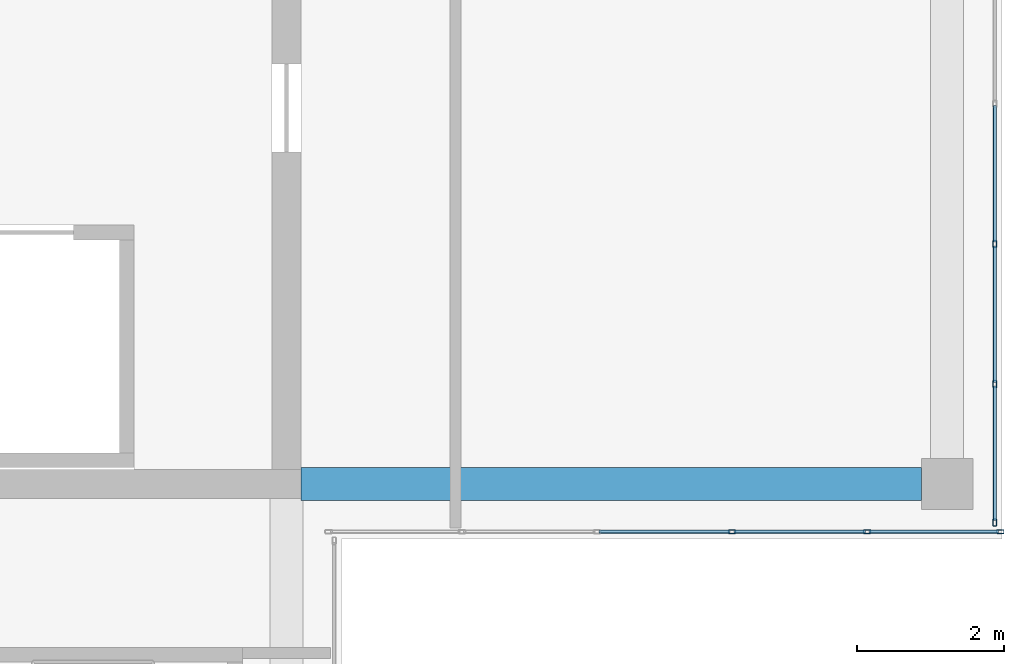
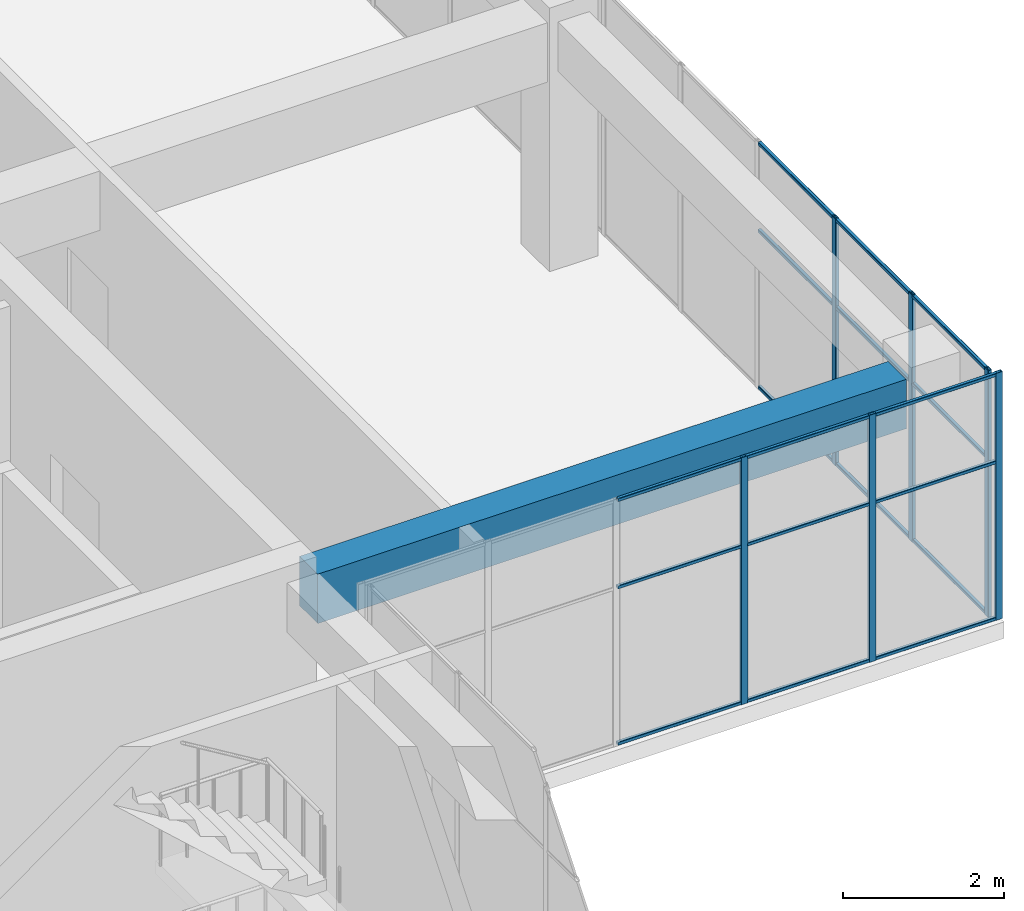
# One storey, part 21 of 43: 24 members, 1 beam, 2 elements without a shape of their own.
"""IFC4 building model written with IfcOpenShell, lengths in metres."""

from ifc_helpers import new_model, si_unit, direction, frame, origin, origin_2d, place, context, subcontext, project, spatial, rectangle, hollow_rectangle, extrude, material, layer, layer_set, material_profile, profile_set, type_object, element, aggregate, save


model = new_model("IFC4")

# Units and contexts
model_context = context("Model", 3, precision=1e-05, world=origin(), true_north=direction((0.0, 1.0)))
body_context = subcontext(model_context, "Body", "Model", "MODEL_VIEW")
ifc_project = project(units=[si_unit("LENGTHUNIT", "METRE"), si_unit("AREAUNIT", "SQUARE_METRE"), si_unit("VOLUMEUNIT", "CUBIC_METRE"), si_unit("PLANEANGLEUNIT", "RADIAN"), si_unit("MASSUNIT", "GRAM", prefix="KILO")], contexts=[model_context])

# Site, building, storey
site_placement = place(None, origin())
site = spatial("IfcSite", under=ifc_project, at=site_placement, CompositionType="ELEMENT")
building_placement = place(site_placement, origin())
building = spatial("IfcBuilding", under=site, at=building_placement, Name="Tuart Plaza Theatre", CompositionType="ELEMENT")
storey_placement = place(building_placement, frame((0.0, 0.0, 33.5)))
storey = spatial("IfcBuildingStorey", under=building, at=storey_placement, Name="L08", CompositionType="ELEMENT", Elevation=33.5)

# Beam
ifc_material_1 = material(Name="Concrete N40 (40 MPa)", Category="concrete")
ifc_material_profile_1 = material_profile(ifc_material_1, rectangle(XDim=0.449951171875, YDim=0.75, at=origin_2d()), Name="BEAM 450x750 Concrete N40 (40 MPa)")
ifc_profile_set_1 = profile_set([ifc_material_profile_1], Name="Concrete N40 (40 MPa)")
beam_type = type_object("IfcBeamType", Name="BEAM 450x750 Concrete N40 (40 MPa)", PredefinedType="BEAM", material=ifc_profile_set_1)
beam_placement = place(storey_placement, frame((141.199951171875, 65.0, 3.375), z_axis=(1.0, 0.0, 0.0), x_axis=(0.0, 1.0, 0.0)))
element("IfcBeam", 1, at=beam_placement, inside=storey, type_object=beam_type, Name="RB274", PredefinedType="BEAM", context=body_context, shape_type="SweptSolid", body=[
    extrude(rectangle(XDim=0.449951171875, YDim=0.75, at=origin_2d()), origin(), (0.0, 0.0, 1.0), 8.449951171875),
])

# Curtain wall, members
ifc_material_2 = material(Name="Aluminium and glass", Category="aluminium")
ifc_layer = layer(ifc_material_2, 0.10009765625)
ifc_layer_set = layer_set([ifc_layer], Name="CURTAIN WALL 2000 module")
curtain_wall_type = type_object("IfcCurtainWallType", Name="CURTAIN WALL 2000 module", PredefinedType="NOTDEFINED", material=ifc_layer_set)
curtain_wall_1_placement = place(storey_placement, origin())
curtain_wall_1 = element("IfcCurtainWall", 2, at=curtain_wall_1_placement, inside=storey, type_object=curtain_wall_type, Name="CW91", PredefinedType="NOTDEFINED")
ifc_material_3 = material(Name="Aluminium 6063-T5", Category="aluminium")
ifc_material_profile_2 = material_profile(ifc_material_3, hollow_rectangle(XDim=0.050048828125, YDim=0.10009765625, WallThickness=0.00390625, InnerFilletRadius=0.00390625, OuterFilletRadius=0.008056640625, at=origin_2d()), Name="RHS 100x50x4")
ifc_profile_set_2 = profile_set([ifc_material_profile_2], Name="Aluminium 6063-T5")
member_type_1 = type_object("IfcMemberType", Name="MULLION RHS 100x50x4", PredefinedType="MULLION", material=ifc_profile_set_2)
member_1_placement = place(storey_placement, frame((147.070068359375, 64.35009765625, 0.0), z_axis=(0.0, 0.0, 1.0), x_axis=(0.0, 1.0, 0.0)))
member_1 = element("IfcMember", 3, at=member_1_placement, type_object=member_type_1, Name="CW91 mullion 4", PredefinedType="MULLION", context=body_context, shape_type="SweptSolid", body=[
    extrude(hollow_rectangle(XDim=0.050048828125, YDim=0.10009765625, WallThickness=0.00390625, InnerFilletRadius=0.00390625, OuterFilletRadius=0.008056640625, at=origin_2d()), origin(), (0.0, 0.0, 1.0), 3.75),
])
member_2_placement = place(storey_placement, frame((148.909912109375, 64.35009765625, 0.0), z_axis=(0.0, 0.0, 1.0), x_axis=(0.0, 1.0, 0.0)))
member_2 = element("IfcMember", 4, at=member_2_placement, type_object=member_type_1, Name="CW91 mullion 5", PredefinedType="MULLION", context=body_context, shape_type="SweptSolid", body=[
    extrude(hollow_rectangle(XDim=0.050048828125, YDim=0.10009765625, WallThickness=0.00390625, InnerFilletRadius=0.00390625, OuterFilletRadius=0.008056640625, at=origin_2d()), origin(), (0.0, 0.0, 1.0), 3.75),
])
member_3_placement = place(storey_placement, frame((150.72509765625, 64.35009765625, 0.0), z_axis=(0.0, 0.0, 1.0), x_axis=(0.0, 1.0, 0.0)))
member_3 = element("IfcMember", 5, at=member_3_placement, type_object=member_type_1, Name="CW91 mullion 6", PredefinedType="MULLION", context=body_context, shape_type="SweptSolid", body=[
    extrude(hollow_rectangle(XDim=0.050048828125, YDim=0.10009765625, WallThickness=0.00390625, InnerFilletRadius=0.00390625, OuterFilletRadius=0.008056640625, at=origin_2d()), origin(), (0.0, 0.0, 1.0), 3.75),
])

curtain_wall_2_placement = place(storey_placement, origin())
curtain_wall_2 = element("IfcCurtainWall", 6, at=curtain_wall_2_placement, inside=storey, type_object=curtain_wall_type, Name="CW92", PredefinedType="NOTDEFINED")
member_4_placement = place(storey_placement, frame((150.64990234375, 64.47509765625, 0.0), z_axis=(0.0, 0.0, 1.0), x_axis=(-1.0, 0.0, 0.0)))
member_4 = element("IfcMember", 7, at=member_4_placement, type_object=member_type_1, Name="CW92 mullion 1", PredefinedType="MULLION", context=body_context, shape_type="SweptSolid", body=[
    extrude(hollow_rectangle(XDim=0.050048828125, YDim=0.10009765625, WallThickness=0.00390625, InnerFilletRadius=0.00390625, OuterFilletRadius=0.008056640625, at=origin_2d()), origin(), (0.0, 0.0, 1.0), 3.75),
])
member_5_placement = place(storey_placement, frame((150.64990234375, 66.360107421875, 0.0), z_axis=(0.0, 0.0, 1.0), x_axis=(-1.0, 0.0, 0.0)))
member_5 = element("IfcMember", 8, at=member_5_placement, type_object=member_type_1, Name="CW92 mullion 2", PredefinedType="MULLION", context=body_context, shape_type="SweptSolid", body=[
    extrude(hollow_rectangle(XDim=0.050048828125, YDim=0.10009765625, WallThickness=0.00390625, InnerFilletRadius=0.00390625, OuterFilletRadius=0.008056640625, at=origin_2d()), origin(), (0.0, 0.0, 1.0), 3.75),
])
member_6_placement = place(storey_placement, frame((150.64990234375, 68.27001953125, 0.0), z_axis=(0.0, 0.0, 1.0), x_axis=(-1.0, 0.0, 0.0)))
member_6 = element("IfcMember", 9, at=member_6_placement, type_object=member_type_1, Name="CW92 mullion 3", PredefinedType="MULLION", context=body_context, shape_type="SweptSolid", body=[
    extrude(hollow_rectangle(XDim=0.050048828125, YDim=0.10009765625, WallThickness=0.00390625, InnerFilletRadius=0.00390625, OuterFilletRadius=0.008056640625, at=origin_2d()), origin(), (0.0, 0.0, 1.0), 3.75),
])

# Member
ifc_material_4 = material(Name="Aluminium 6063-T5", Category="aluminium")
ifc_material_profile_3 = material_profile(ifc_material_4, hollow_rectangle(XDim=0.050048828125, YDim=0.050048828125, WallThickness=0.00390625, InnerFilletRadius=0.00390625, OuterFilletRadius=0.008056640625, at=origin_2d()), Name="RHS 50x50x4")
ifc_profile_set_3 = profile_set([ifc_material_profile_3], Name="Aluminium 6063-T5")
member_type_2 = type_object("IfcMemberType", Name="TRANSOM RHS 50x50x4", PredefinedType="USERDEFINED", material=ifc_profile_set_3)
member_7_placement = place(storey_placement, frame((145.2548828125, 64.35009765625, 0.02490234375), z_axis=(1.0, 0.0, 0.0), x_axis=(0.0, 1.0, 0.0)))
member_7 = element("IfcMember", 10, at=member_7_placement, type_object=member_type_2, Name="CW91 transom 3.1", ObjectType="TRANSOM", PredefinedType="USERDEFINED", context=body_context, shape_type="SweptSolid", body=[
    extrude(hollow_rectangle(XDim=0.050048828125, YDim=0.050048828125, WallThickness=0.00390625, InnerFilletRadius=0.00390625, OuterFilletRadius=0.008056640625, at=origin_2d()), origin(), (0.0, 0.0, 1.0), 1.7900390625),
])

member_8_placement = place(storey_placement, frame((145.2548828125, 64.35009765625, 2.39990234375), z_axis=(1.0, 0.0, 0.0), x_axis=(0.0, 1.0, 0.0)))
member_8 = element("IfcMember", 11, at=member_8_placement, type_object=member_type_2, Name="CW91 transom 3.2", ObjectType="TRANSOM", PredefinedType="USERDEFINED", context=body_context, shape_type="SweptSolid", body=[
    extrude(hollow_rectangle(XDim=0.050048828125, YDim=0.050048828125, WallThickness=0.00390625, InnerFilletRadius=0.00390625, OuterFilletRadius=0.008056640625, at=origin_2d()), origin(), (0.0, 0.0, 1.0), 1.7900390625),
])

member_9_placement = place(storey_placement, frame((145.2548828125, 64.35009765625, 3.72509765625), z_axis=(1.0, 0.0, 0.0), x_axis=(0.0, 1.0, 0.0)))
member_9 = element("IfcMember", 12, at=member_9_placement, type_object=member_type_2, Name="CW91 transom 3.3", ObjectType="TRANSOM", PredefinedType="USERDEFINED", context=body_context, shape_type="SweptSolid", body=[
    extrude(hollow_rectangle(XDim=0.050048828125, YDim=0.050048828125, WallThickness=0.00390625, InnerFilletRadius=0.00390625, OuterFilletRadius=0.008056640625, at=origin_2d()), origin(), (0.0, 0.0, 1.0), 1.7900390625),
])

member_10_placement = place(storey_placement, frame((147.094970703125, 64.35009765625, 0.02490234375), z_axis=(1.0, 0.0, 0.0), x_axis=(0.0, 1.0, 0.0)))
member_10 = element("IfcMember", 13, at=member_10_placement, type_object=member_type_2, Name="CW91 transom 4.1", ObjectType="TRANSOM", PredefinedType="USERDEFINED", context=body_context, shape_type="SweptSolid", body=[
    extrude(hollow_rectangle(XDim=0.050048828125, YDim=0.050048828125, WallThickness=0.00390625, InnerFilletRadius=0.00390625, OuterFilletRadius=0.008056640625, at=origin_2d()), origin(), (0.0, 0.0, 1.0), 1.7900390625),
])

member_11_placement = place(storey_placement, frame((147.094970703125, 64.35009765625, 2.39990234375), z_axis=(1.0, 0.0, 0.0), x_axis=(0.0, 1.0, 0.0)))
member_11 = element("IfcMember", 14, at=member_11_placement, type_object=member_type_2, Name="CW91 transom 4.2", ObjectType="TRANSOM", PredefinedType="USERDEFINED", context=body_context, shape_type="SweptSolid", body=[
    extrude(hollow_rectangle(XDim=0.050048828125, YDim=0.050048828125, WallThickness=0.00390625, InnerFilletRadius=0.00390625, OuterFilletRadius=0.008056640625, at=origin_2d()), origin(), (0.0, 0.0, 1.0), 1.7900390625),
])

member_12_placement = place(storey_placement, frame((147.094970703125, 64.35009765625, 3.72509765625), z_axis=(1.0, 0.0, 0.0), x_axis=(0.0, 1.0, 0.0)))
member_12 = element("IfcMember", 15, at=member_12_placement, type_object=member_type_2, Name="CW91 transom 4.3", ObjectType="TRANSOM", PredefinedType="USERDEFINED", context=body_context, shape_type="SweptSolid", body=[
    extrude(hollow_rectangle(XDim=0.050048828125, YDim=0.050048828125, WallThickness=0.00390625, InnerFilletRadius=0.00390625, OuterFilletRadius=0.008056640625, at=origin_2d()), origin(), (0.0, 0.0, 1.0), 1.7900390625),
])

member_13_placement = place(storey_placement, frame((148.93505859375, 64.35009765625, 0.02490234375), z_axis=(1.0, 0.0, 0.0), x_axis=(0.0, 1.0, 0.0)))
member_13 = element("IfcMember", 16, at=member_13_placement, type_object=member_type_2, Name="CW91 transom 5.1", ObjectType="TRANSOM", PredefinedType="USERDEFINED", context=body_context, shape_type="SweptSolid", body=[
    extrude(hollow_rectangle(XDim=0.050048828125, YDim=0.050048828125, WallThickness=0.00390625, InnerFilletRadius=0.00390625, OuterFilletRadius=0.008056640625, at=origin_2d()), origin(), (0.0, 0.0, 1.0), 1.764892578125),
])

member_14_placement = place(storey_placement, frame((148.93505859375, 64.35009765625, 2.39990234375), z_axis=(1.0, 0.0, 0.0), x_axis=(0.0, 1.0, 0.0)))
member_14 = element("IfcMember", 17, at=member_14_placement, type_object=member_type_2, Name="CW91 transom 5.2", ObjectType="TRANSOM", PredefinedType="USERDEFINED", context=body_context, shape_type="SweptSolid", body=[
    extrude(hollow_rectangle(XDim=0.050048828125, YDim=0.050048828125, WallThickness=0.00390625, InnerFilletRadius=0.00390625, OuterFilletRadius=0.008056640625, at=origin_2d()), origin(), (0.0, 0.0, 1.0), 1.764892578125),
])

member_15_placement = place(storey_placement, frame((148.93505859375, 64.35009765625, 3.72509765625), z_axis=(1.0, 0.0, 0.0), x_axis=(0.0, 1.0, 0.0)))
member_15 = element("IfcMember", 18, at=member_15_placement, type_object=member_type_2, Name="CW91 transom 5.3", ObjectType="TRANSOM", PredefinedType="USERDEFINED", context=body_context, shape_type="SweptSolid", body=[
    extrude(hollow_rectangle(XDim=0.050048828125, YDim=0.050048828125, WallThickness=0.00390625, InnerFilletRadius=0.00390625, OuterFilletRadius=0.008056640625, at=origin_2d()), origin(), (0.0, 0.0, 1.0), 1.764892578125),
])

aggregate(curtain_wall_1, [member_1, member_2, member_3, member_7, member_8, member_9, member_10, member_11, member_12, member_13, member_14, member_15])

member_16_placement = place(storey_placement, frame((150.64990234375, 64.5, 0.02490234375), z_axis=(0.0, 1.0, 0.0), x_axis=(-1.0, 0.0, 0.0)))
member_16 = element("IfcMember", 19, at=member_16_placement, type_object=member_type_2, Name="CW92 transom 1.1", ObjectType="TRANSOM", PredefinedType="USERDEFINED", context=body_context, shape_type="SweptSolid", body=[
    extrude(hollow_rectangle(XDim=0.050048828125, YDim=0.050048828125, WallThickness=0.00390625, InnerFilletRadius=0.00390625, OuterFilletRadius=0.008056640625, at=origin_2d()), origin(), (0.0, 0.0, 1.0), 1.8349609375),
])

member_17_placement = place(storey_placement, frame((150.64990234375, 64.5, 2.39990234375), z_axis=(0.0, 1.0, 0.0), x_axis=(-1.0, 0.0, 0.0)))
member_17 = element("IfcMember", 20, at=member_17_placement, type_object=member_type_2, Name="CW92 transom 1.2", ObjectType="TRANSOM", PredefinedType="USERDEFINED", context=body_context, shape_type="SweptSolid", body=[
    extrude(hollow_rectangle(XDim=0.050048828125, YDim=0.050048828125, WallThickness=0.00390625, InnerFilletRadius=0.00390625, OuterFilletRadius=0.008056640625, at=origin_2d()), origin(), (0.0, 0.0, 1.0), 1.8349609375),
])

member_18_placement = place(storey_placement, frame((150.64990234375, 64.5, 3.72509765625), z_axis=(0.0, 1.0, 0.0), x_axis=(-1.0, 0.0, 0.0)))
member_18 = element("IfcMember", 21, at=member_18_placement, type_object=member_type_2, Name="CW92 transom 1.3", ObjectType="TRANSOM", PredefinedType="USERDEFINED", context=body_context, shape_type="SweptSolid", body=[
    extrude(hollow_rectangle(XDim=0.050048828125, YDim=0.050048828125, WallThickness=0.00390625, InnerFilletRadius=0.00390625, OuterFilletRadius=0.008056640625, at=origin_2d()), origin(), (0.0, 0.0, 1.0), 1.8349609375),
])

member_19_placement = place(storey_placement, frame((150.64990234375, 66.385009765625, 0.02490234375), z_axis=(0.0, 1.0, 0.0), x_axis=(-1.0, 0.0, 0.0)))
member_19 = element("IfcMember", 22, at=member_19_placement, type_object=member_type_2, Name="CW92 transom 2.1", ObjectType="TRANSOM", PredefinedType="USERDEFINED", context=body_context, shape_type="SweptSolid", body=[
    extrude(hollow_rectangle(XDim=0.050048828125, YDim=0.050048828125, WallThickness=0.00390625, InnerFilletRadius=0.00390625, OuterFilletRadius=0.008056640625, at=origin_2d()), origin(), (0.0, 0.0, 1.0), 1.860107421875),
])

member_20_placement = place(storey_placement, frame((150.64990234375, 66.385009765625, 2.39990234375), z_axis=(0.0, 1.0, 0.0), x_axis=(-1.0, 0.0, 0.0)))
member_20 = element("IfcMember", 23, at=member_20_placement, type_object=member_type_2, Name="CW92 transom 2.2", ObjectType="TRANSOM", PredefinedType="USERDEFINED", context=body_context, shape_type="SweptSolid", body=[
    extrude(hollow_rectangle(XDim=0.050048828125, YDim=0.050048828125, WallThickness=0.00390625, InnerFilletRadius=0.00390625, OuterFilletRadius=0.008056640625, at=origin_2d()), origin(), (0.0, 0.0, 1.0), 1.860107421875),
])

member_21_placement = place(storey_placement, frame((150.64990234375, 66.385009765625, 3.72509765625), z_axis=(0.0, 1.0, 0.0), x_axis=(-1.0, 0.0, 0.0)))
member_21 = element("IfcMember", 24, at=member_21_placement, type_object=member_type_2, Name="CW92 transom 2.3", ObjectType="TRANSOM", PredefinedType="USERDEFINED", context=body_context, shape_type="SweptSolid", body=[
    extrude(hollow_rectangle(XDim=0.050048828125, YDim=0.050048828125, WallThickness=0.00390625, InnerFilletRadius=0.00390625, OuterFilletRadius=0.008056640625, at=origin_2d()), origin(), (0.0, 0.0, 1.0), 1.860107421875),
])

member_22_placement = place(storey_placement, frame((150.64990234375, 68.294921875, 0.02490234375), z_axis=(0.0, 1.0, 0.0), x_axis=(-1.0, 0.0, 0.0)))
member_22 = element("IfcMember", 25, at=member_22_placement, type_object=member_type_2, Name="CW92 transom 3.1", ObjectType="TRANSOM", PredefinedType="USERDEFINED", context=body_context, shape_type="SweptSolid", body=[
    extrude(hollow_rectangle(XDim=0.050048828125, YDim=0.050048828125, WallThickness=0.00390625, InnerFilletRadius=0.00390625, OuterFilletRadius=0.008056640625, at=origin_2d()), origin(), (0.0, 0.0, 1.0), 1.860107421875),
])

member_23_placement = place(storey_placement, frame((150.64990234375, 68.294921875, 2.39990234375), z_axis=(0.0, 1.0, 0.0), x_axis=(-1.0, 0.0, 0.0)))
member_23 = element("IfcMember", 26, at=member_23_placement, type_object=member_type_2, Name="CW92 transom 3.2", ObjectType="TRANSOM", PredefinedType="USERDEFINED", context=body_context, shape_type="SweptSolid", body=[
    extrude(hollow_rectangle(XDim=0.050048828125, YDim=0.050048828125, WallThickness=0.00390625, InnerFilletRadius=0.00390625, OuterFilletRadius=0.008056640625, at=origin_2d()), origin(), (0.0, 0.0, 1.0), 1.860107421875),
])

member_24_placement = place(storey_placement, frame((150.64990234375, 68.294921875, 3.72509765625), z_axis=(0.0, 1.0, 0.0), x_axis=(-1.0, 0.0, 0.0)))
member_24 = element("IfcMember", 27, at=member_24_placement, type_object=member_type_2, Name="CW92 transom 3.3", ObjectType="TRANSOM", PredefinedType="USERDEFINED", context=body_context, shape_type="SweptSolid", body=[
    extrude(hollow_rectangle(XDim=0.050048828125, YDim=0.050048828125, WallThickness=0.00390625, InnerFilletRadius=0.00390625, OuterFilletRadius=0.008056640625, at=origin_2d()), origin(), (0.0, 0.0, 1.0), 1.860107421875),
])

aggregate(curtain_wall_2, [member_4, member_5, member_6, member_16, member_17, member_18, member_19, member_20, member_21, member_22, member_23, member_24])

save(model, "model.ifc")
